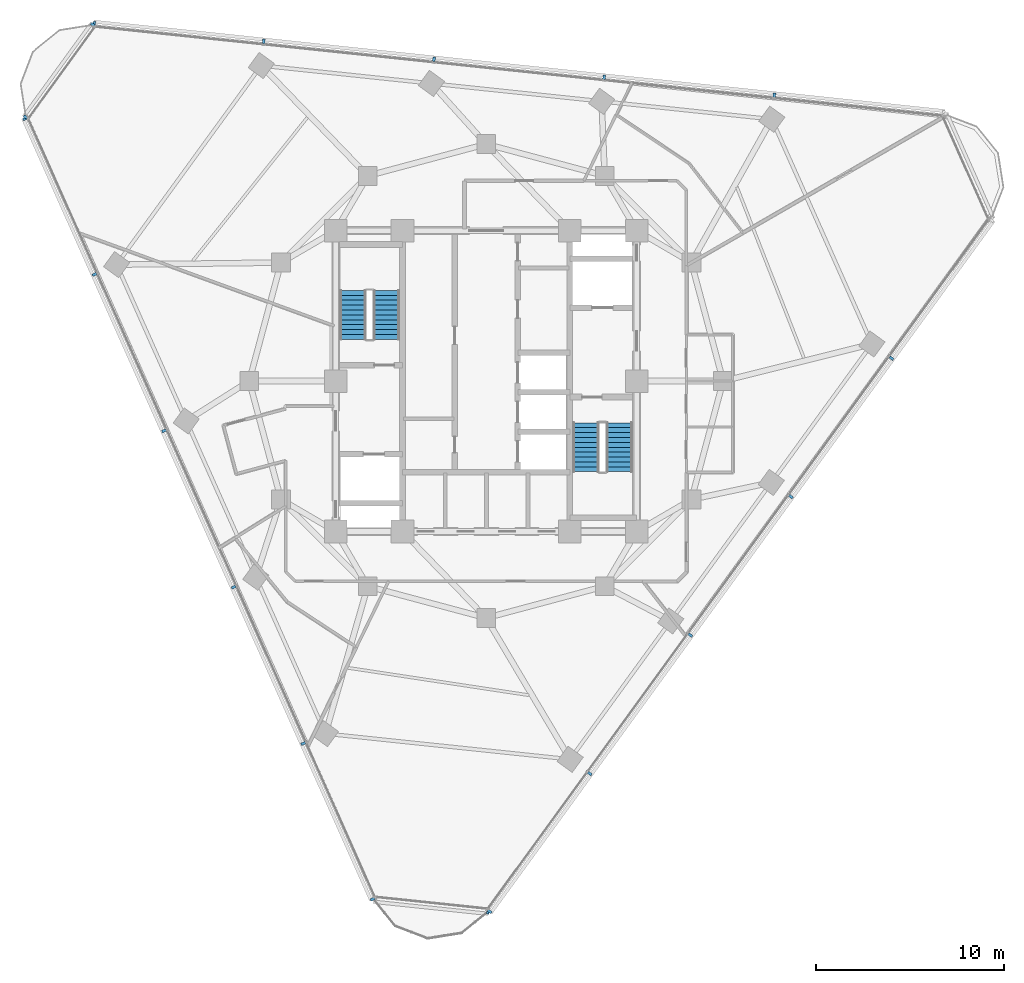
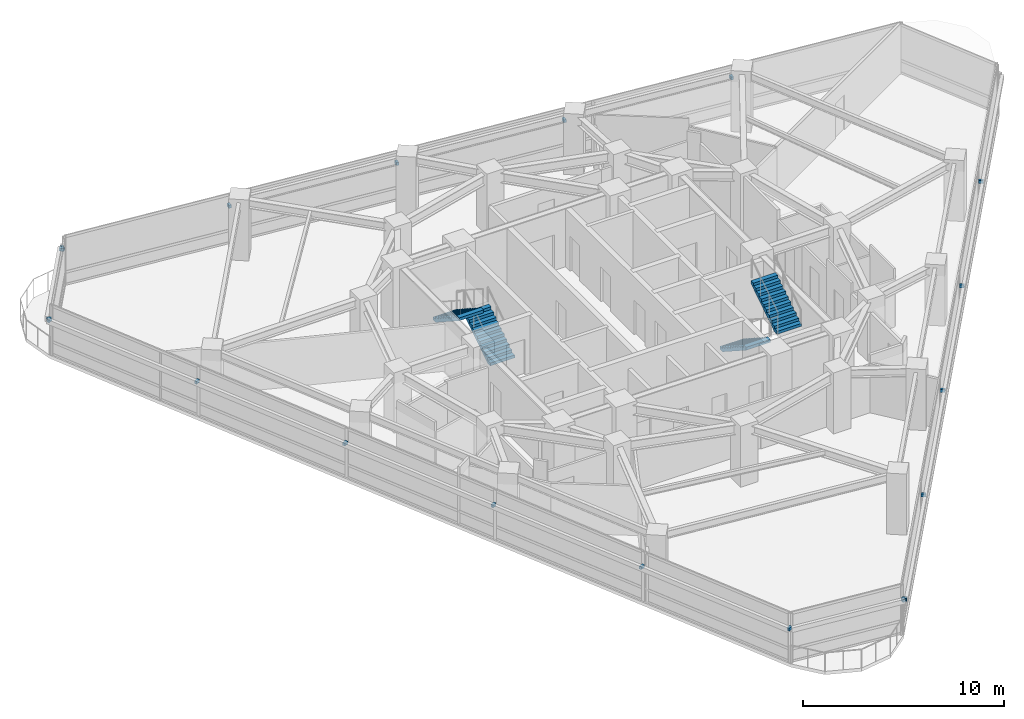
# One storey, part 10 of 14: 19 discrete accessories, 4 stair flights, 2 elements without a shape of their own.
"""IFC4 building model written with IfcOpenShell, lengths in metres."""

import ifcopenshell
import ifcopenshell.guid

model = None  # the IFC model being written
_history = None  # IfcOwnerHistory: only IFC2X3 demands one
_inside = {}  # id of a spatial element -> (the spatial element, [elements in it])
_under = {}  # id of a project, library or spatial element -> (it, [spatial elements below it])
_declared = {}  # id of a project -> (the project, [libraries it declares])
_typed = {}  # id of a type object -> (the type object, [elements of that type])
_made_of = {}  # id of a material, layer set ... -> (it, [elements and type objects made of it])


def new_model(schema):
    """Start an empty IFC model of exactly this schema.

    Asked for "IFC4X3", IfcOpenShell would pick the latest addendum, in which some entities
    have other attributes; the version numbers below select the first issue.
    IFC2X3 requires an IfcOwnerHistory on every rooted entity: one is made here for all.
    """
    global model, _history
    if schema == "IFC4X3":
        model = ifcopenshell.file(schema_version=(4, 3, 0, 0))
    else:
        model = ifcopenshell.file(schema=schema)
    _inside.clear()
    _under.clear()
    _declared.clear()
    _typed.clear()
    _made_of.clear()
    _history = None
    if model.schema == "IFC2X3":
        org = make("IfcOrganization", Name="unknown")
        user = make(
            "IfcPersonAndOrganization",
            ThePerson=make("IfcPerson", FamilyName="unknown"),
            TheOrganization=org,
        )
        app = make(
            "IfcApplication",
            ApplicationDeveloper=org,
            Version="unknown",
            ApplicationFullName="unknown",
            ApplicationIdentifier="unknown",
        )
        _history = make(
            "IfcOwnerHistory",
            OwningUser=user,
            OwningApplication=app,
            ChangeAction="ADDED",
            CreationDate=0,
        )
    return model


def make(cls, **values):
    """One entity of the class cls with the attributes given. An attribute that is None is left unset."""
    return model.create_entity(
        cls, **{name: value for name, value in values.items() if value is not None}
    )


def rooted(cls, **values):
    """An entity with a GlobalId (a new one), such as an element, a storey or a relation."""
    return make(cls, GlobalId=ifcopenshell.guid.new(), OwnerHistory=_history, **values)


def si_unit(unit_type, name, prefix=None):
    """IfcSIUnit, for example si_unit("LENGTHUNIT", "METRE", prefix="MILLI")."""
    return make("IfcSIUnit", UnitType=unit_type, Prefix=prefix, Name=name)


def assignment(units):
    """IfcUnitAssignment: the units of a project."""
    return None if units is None else make("IfcUnitAssignment", Units=units)


def point(xyz):
    """IfcCartesianPoint."""
    return None if xyz is None else make("IfcCartesianPoint", Coordinates=xyz)


def direction(xyz):
    """IfcDirection."""
    return None if xyz is None else make("IfcDirection", DirectionRatios=xyz)


def frame(location, z_axis=None, x_axis=None):
    """IfcAxis2Placement3D, a coordinate frame: its origin and axes. An axis left out is left unset."""
    return make(
        "IfcAxis2Placement3D",
        Location=point(location),
        Axis=direction(z_axis),
        RefDirection=direction(x_axis),
    )


def frame_2d(location, x_axis=None):
    """IfcAxis2Placement2D, a coordinate frame in the plane: its origin and x axis."""
    return make(
        "IfcAxis2Placement2D", Location=point(location), RefDirection=direction(x_axis)
    )


def origin():
    """The frame at (0, 0, 0) with its axes left unset."""
    return frame((0.0, 0.0, 0.0))


def origin_2d():
    """The frame at (0, 0) in the plane with its x axis left unset."""
    return frame_2d((0.0, 0.0))


def place(relative_to, where):
    """IfcLocalPlacement: puts the frame where relative to a parent placement (None: the world)."""
    return make(
        "IfcLocalPlacement", PlacementRelTo=relative_to, RelativePlacement=where
    )


def context(
    kind, dimensions, precision=None, world=None, true_north=None, identifier=None
):
    """IfcGeometricRepresentationContext, for example the 3D "Model" context."""
    return make(
        "IfcGeometricRepresentationContext",
        ContextIdentifier=identifier,
        ContextType=kind,
        CoordinateSpaceDimension=dimensions,
        Precision=precision,
        WorldCoordinateSystem=world,
        TrueNorth=true_north,
    )


def subcontext(parent, identifier, kind, view, scale=None):
    """IfcGeometricRepresentationSubContext, for example "Body" below "Model"."""
    return make(
        "IfcGeometricRepresentationSubContext",
        ContextIdentifier=identifier,
        ContextType=kind,
        ParentContext=parent,
        TargetScale=scale,
        TargetView=view,
    )


def project(units=None, contexts=None):
    """IfcProject with its units and contexts."""
    return rooted(
        "IfcProject",
        Name="project",
        RepresentationContexts=contexts,
        UnitsInContext=assignment(units),
    )


def spatial(cls, under=None, at=None, **own):
    """A site, building, storey or space (cls), placed at a placement, below another one or the project."""
    s = rooted(cls, ObjectPlacement=at, **own)
    if under is not None:
        _under.setdefault(under.id(), (under, []))[1].append(s)
    return s


def polyline(points):
    """IfcPolyline through the points."""
    return make("IfcPolyline", Points=[point(p) for p in points])


def profile(cls, at=None, kind="AREA", **sizes):
    """A parametric profile (cls). Its sizes go by their IFC names, for example OverallWidth=200.0."""
    return make(cls, ProfileType=kind, Position=at, **sizes)


def rectangle(**sizes):
    """IfcRectangleProfileDef."""
    return profile("IfcRectangleProfileDef", **sizes)


def outline(outer, holes=None, kind="AREA"):
    """IfcArbitraryClosedProfileDef: a profile drawn as a closed curve; with holes, ...WithVoids."""
    if holes is None:
        return make("IfcArbitraryClosedProfileDef", ProfileType=kind, OuterCurve=outer)
    return make(
        "IfcArbitraryProfileDefWithVoids",
        ProfileType=kind,
        OuterCurve=outer,
        InnerCurves=holes,
    )


def extrude(swept, where, along, depth):
    """IfcExtrudedAreaSolid: the profile swept, set in the frame where, extruded along a direction by depth."""
    return make(
        "IfcExtrudedAreaSolid",
        SweptArea=swept,
        Position=where,
        ExtrudedDirection=direction(along),
        Depth=depth,
    )


def shape(context_of_items, identifier, shape_type, items):
    """IfcShapeRepresentation: the items that make up one representation, for example the "Body"."""
    return make(
        "IfcShapeRepresentation",
        ContextOfItems=context_of_items,
        RepresentationIdentifier=identifier,
        RepresentationType=shape_type,
        Items=items,
    )


def material(Name=None, Category=None):
    """IfcMaterial."""
    return make("IfcMaterial", Name=Name, Category=Category)


def made_of(thing, what):
    """Note that an element or type object is made of a material, layer set ...; save() writes the relation."""
    if what is not None:
        _made_of.setdefault(what.id(), (what, []))[1].append(thing)
    return thing


def type_object(cls, material=None, **own):
    """A type object (cls), such as IfcWallType, which elements share."""
    return made_of(rooted(cls, **own), material)


def element(
    cls,
    number,
    at=None,
    inside=None,
    cuts=None,
    type_object=None,
    material=None,
    context=None,
    identifier="Body",
    shape_type=None,
    held_by="IfcProductDefinitionShape",
    body=None,
    shapes=None,
    **own,
):
    """One element of the class cls, such as IfcWall. Its Tag is "e" and its number.

    at: its placement. inside: the storey or other place that contains it. cuts: it is an
    opening in that element (IfcRelVoidsElement). A single representation is given by context,
    identifier, shape_type and body (its items); several are given by shapes. held_by: the class
    of the entity that holds the representations. save() writes the other relations.
    """
    e = rooted(cls, Tag="e%d" % number, ObjectPlacement=at, **own)
    if body is not None:
        shapes = [shape(context, identifier, shape_type, body)]
    if shapes is not None:
        e.Representation = make(held_by, Representations=shapes)
    if inside is not None:
        _inside.setdefault(inside.id(), (inside, []))[1].append(e)
    if cuts is not None:
        rooted(
            "IfcRelVoidsElement", RelatingBuildingElement=cuts, RelatedOpeningElement=e
        )
    if type_object is not None:
        _typed.setdefault(type_object.id(), (type_object, []))[1].append(e)
    return made_of(e, material)


def aggregate(whole, parts):
    """IfcRelAggregates: a whole, such as a stair, and the parts it consists of."""
    return rooted("IfcRelAggregates", RelatingObject=whole, RelatedObjects=parts)


def save(model, path):
    """Write the relations noted so far, then the file.

    IfcRelAggregates (storeys below a building ...), IfcRelContainedInSpatialStructure (elements
    in a storey), IfcRelDefinesByType, IfcRelAssociatesMaterial and IfcRelDeclares: one each for
    every whole, place, type object, material and project.
    """
    for whole, parts in _under.values():
        aggregate(whole, parts)
    for where, things in _inside.values():
        rooted(
            "IfcRelContainedInSpatialStructure",
            RelatedElements=things,
            RelatingStructure=where,
        )
    for kind, things in _typed.values():
        rooted("IfcRelDefinesByType", RelatedObjects=things, RelatingType=kind)
    for what, things in _made_of.values():
        rooted("IfcRelAssociatesMaterial", RelatedObjects=things, RelatingMaterial=what)
    for by, libraries in _declared.values():
        rooted("IfcRelDeclares", RelatingContext=by, RelatedDefinitions=libraries)
    model.write(path)


model = new_model("IFC4")

# Units and contexts
model_context = context("Model", 3, precision=1e-05, world=origin(), true_north=direction((0.0, 1.0)))
body_context = subcontext(model_context, "Body", "Model", "MODEL_VIEW")
ifc_project = project(units=[si_unit("LENGTHUNIT", "METRE"), si_unit("AREAUNIT", "SQUARE_METRE"), si_unit("VOLUMEUNIT", "CUBIC_METRE"), si_unit("PLANEANGLEUNIT", "RADIAN"), si_unit("MASSUNIT", "GRAM", prefix="KILO")], contexts=[model_context])

# Site, building, storey
site_placement = place(None, origin())
site = spatial("IfcSite", under=ifc_project, at=site_placement, CompositionType="ELEMENT")
building_placement = place(site_placement, origin())
building = spatial("IfcBuilding", under=site, at=building_placement, Name="Terralouvre Media Tower", CompositionType="ELEMENT")
storey_placement = place(building_placement, frame((0.0, 0.0, 241.10009765625)))
storey = spatial("IfcBuildingStorey", under=building, at=storey_placement, Name="L62", CompositionType="ELEMENT", Elevation=241.10009765625)

# Stair, stair flights
ifc_material_1 = material(Name="Concrete C45/55", Category="concrete")
stair_type_1 = type_object("IfcStairType", Name="Dogleg Stair Assembly ST-01", PredefinedType="HALF_TURN_STAIR", material=ifc_material_1)
stair_1_placement = place(storey_placement, origin())
stair_1 = element("IfcStair", 1, at=stair_1_placement, inside=storey, type_object=stair_type_1, Name="L62 Core Pressurised Exit Stair ST-01", PredefinedType="HALF_TURN_STAIR")
ifc_material_2 = material(Name="Concrete C45/55", Category="concrete")
stair_flight_type = type_object("IfcStairFlightType", Name="Reinforced Concrete Stair Flight SF-RC1", PredefinedType="STRAIGHT", material=ifc_material_2)
stair_flight_1_placement = place(storey_placement, frame((-5.300048828125, 2.219970703125, 0.0), z_axis=(0.0, 0.0, 1.0), x_axis=(0.0, 1.0, 0.0)))
stair_flight_1 = element("IfcStairFlight", 2, at=stair_flight_1_placement, type_object=stair_flight_type, Name="ST-01 flight 1", NumberOfRisers=11, NumberOfTreads=10, PredefinedType="STRAIGHT", RiserHeight=0.168181818, TreadLength=0.26, context=body_context, shape_type="SweptSolid", body=[
    extrude(outline(polyline([(0.0, 0.0), (0.0, 0.168212890625), (0.260009765625, 0.168212890625), (0.260009765625, 0.33642578125), (0.52001953125, 0.33642578125), (0.52001953125, 0.504638671875), (0.780029296875, 0.504638671875), (0.780029296875, 0.672607421875), (1.0400390625, 0.672607421875), (1.0400390625, 0.8408203125), (1.300048828125, 0.8408203125), (1.300048828125, 1.009033203125), (1.56005859375, 1.009033203125), (1.56005859375, 1.17724609375), (1.820068359375, 1.17724609375), (1.820068359375, 1.345458984375), (2.080078125, 1.345458984375), (2.080078125, 1.513671875), (2.340087890625, 1.513671875), (2.340087890625, 1.681884765625), (2.60009765625, 1.681884765625), (2.60009765625, 1.85009765625), (2.60009765625, 1.503173828125), (0.27587890625, 0.0), (0.0, 0.0)])), frame((0.0, 0.699951171875, 0.0), z_axis=(0.0, -1.0, 0.0), x_axis=(1.0, 0.0, 0.0)), (0.0, 0.0, 1.0), 1.39990234375),
])
stair_flight_2_placement = place(storey_placement, frame((-7.080078125, 4.820068359375, 1.849853515625), z_axis=(0.0, 0.0, 1.0), x_axis=(0.0, -1.0, 0.0)))
stair_flight_2 = element("IfcStairFlight", 3, at=stair_flight_2_placement, type_object=stair_flight_type, Name="ST-01 flight 2", NumberOfRisers=11, NumberOfTreads=10, PredefinedType="STRAIGHT", RiserHeight=0.168181818, TreadLength=0.26, context=body_context, shape_type="SweptSolid", body=[
    extrude(outline(polyline([(0.0, 0.0), (0.0, 0.168212890625), (0.260009765625, 0.168212890625), (0.260009765625, 0.33642578125), (0.52001953125, 0.33642578125), (0.52001953125, 0.504638671875), (0.780029296875, 0.504638671875), (0.780029296875, 0.672607421875), (1.0400390625, 0.672607421875), (1.0400390625, 0.8408203125), (1.300048828125, 0.8408203125), (1.300048828125, 1.009033203125), (1.56005859375, 1.009033203125), (1.56005859375, 1.17724609375), (1.820068359375, 1.17724609375), (1.820068359375, 1.345458984375), (2.080078125, 1.345458984375), (2.080078125, 1.513671875), (2.340087890625, 1.513671875), (2.340087890625, 1.681884765625), (2.60009765625, 1.681884765625), (2.60009765625, 1.85009765625), (2.60009765625, 1.503173828125), (0.27587890625, 0.0), (0.0, 0.0)])), frame((0.0, 0.699951171875, 0.0), z_axis=(0.0, -1.0, 0.0), x_axis=(1.0, 0.0, 0.0)), (0.0, 0.0, 1.0), 1.39990234375),
])
aggregate(stair_1, [stair_flight_1, stair_flight_2])

ifc_material_3 = material(Name="Concrete C45/55", Category="concrete")
stair_type_2 = type_object("IfcStairType", Name="Dogleg Stair Assembly ST-02", PredefinedType="HALF_TURN_STAIR", material=ifc_material_3)
stair_2_placement = place(storey_placement, origin())
stair_2 = element("IfcStair", 4, at=stair_2_placement, inside=storey, type_object=stair_type_2, Name="L62 Core Pressurised Exit Stair ST-02", PredefinedType="HALF_TURN_STAIR")
stair_flight_3_placement = place(storey_placement, frame((5.300048828125, -2.219970703125, 0.0), z_axis=(0.0, 0.0, 1.0), x_axis=(0.0, -1.0, 0.0)))
stair_flight_3 = element("IfcStairFlight", 5, at=stair_flight_3_placement, type_object=stair_flight_type, Name="ST-02 flight 1", NumberOfRisers=11, NumberOfTreads=10, PredefinedType="STRAIGHT", RiserHeight=0.168181818, TreadLength=0.26, context=body_context, shape_type="SweptSolid", body=[
    extrude(outline(polyline([(0.0, 0.0), (0.0, 0.168212890625), (0.260009765625, 0.168212890625), (0.260009765625, 0.33642578125), (0.52001953125, 0.33642578125), (0.52001953125, 0.504638671875), (0.780029296875, 0.504638671875), (0.780029296875, 0.672607421875), (1.0400390625, 0.672607421875), (1.0400390625, 0.8408203125), (1.300048828125, 0.8408203125), (1.300048828125, 1.009033203125), (1.56005859375, 1.009033203125), (1.56005859375, 1.17724609375), (1.820068359375, 1.17724609375), (1.820068359375, 1.345458984375), (2.080078125, 1.345458984375), (2.080078125, 1.513671875), (2.340087890625, 1.513671875), (2.340087890625, 1.681884765625), (2.60009765625, 1.681884765625), (2.60009765625, 1.85009765625), (2.60009765625, 1.503173828125), (0.27587890625, 0.0), (0.0, 0.0)])), frame((0.0, 0.699951171875, 0.0), z_axis=(0.0, -1.0, 0.0), x_axis=(1.0, 0.0, 0.0)), (0.0, 0.0, 1.0), 1.39990234375),
])
stair_flight_4_placement = place(storey_placement, frame((7.080078125, -4.820068359375, 1.849853515625), z_axis=(0.0, 0.0, 1.0), x_axis=(0.0, 1.0, 0.0)))
stair_flight_4 = element("IfcStairFlight", 6, at=stair_flight_4_placement, type_object=stair_flight_type, Name="ST-02 flight 2", NumberOfRisers=11, NumberOfTreads=10, PredefinedType="STRAIGHT", RiserHeight=0.168181818, TreadLength=0.26, context=body_context, shape_type="SweptSolid", body=[
    extrude(outline(polyline([(0.0, 0.0), (0.0, 0.168212890625), (0.260009765625, 0.168212890625), (0.260009765625, 0.33642578125), (0.52001953125, 0.33642578125), (0.52001953125, 0.504638671875), (0.780029296875, 0.504638671875), (0.780029296875, 0.672607421875), (1.0400390625, 0.672607421875), (1.0400390625, 0.8408203125), (1.300048828125, 0.8408203125), (1.300048828125, 1.009033203125), (1.56005859375, 1.009033203125), (1.56005859375, 1.17724609375), (1.820068359375, 1.17724609375), (1.820068359375, 1.345458984375), (2.080078125, 1.345458984375), (2.080078125, 1.513671875), (2.340087890625, 1.513671875), (2.340087890625, 1.681884765625), (2.60009765625, 1.681884765625), (2.60009765625, 1.85009765625), (2.60009765625, 1.503173828125), (0.27587890625, 0.0), (0.0, 0.0)])), frame((0.0, 0.699951171875, 0.0), z_axis=(0.0, -1.0, 0.0), x_axis=(1.0, 0.0, 0.0)), (0.0, 0.0, 1.0), 1.39990234375),
])
aggregate(stair_2, [stair_flight_3, stair_flight_4])

# Discrete accessories
ifc_material_4 = material(Name="Anodised extruded aluminium 6063-T6", Category="aluminium")
discrete_accessory_type = type_object("IfcDiscreteAccessoryType", Name="Mullion Stand-Off Baguette Fixing Bracket BK-01", PredefinedType="BRACKET", material=ifc_material_4)
for number, where, z_axis, x_axis, name in (
    (7, (0.180419921875, -28.205322265625, 2.07373046875), (0.0, 0.0, 1.0), (0.587785300879, 0.809016959074, 0.0), "CW-L62-F0 Baguette Outrigger Bracket 1.01"),
    (8, (5.50732421875, -20.87353515625, 2.07373046875), (0.0, 0.0, 1.0), (0.587785300879, 0.809016959074, 0.0), "CW-L62-F0 Baguette Outrigger Bracket 1.02"),
    (9, (10.856201171875, -13.511474609375, 2.07373046875), (0.0, 0.0, 1.0), (0.587785300879, 0.809016959074, 0.0), "CW-L62-F0 Baguette Outrigger Bracket 1.03"),
    (10, (16.205078125, -6.1494140625, 2.07373046875), (0.0, 0.0, 1.0), (0.587785300879, 0.809016959074, 0.0), "CW-L62-F0 Baguette Outrigger Bracket 1.04"),
    (11, (21.553955078125, 1.212646484375, 2.07373046875), (0.0, 0.0, 1.0), (0.587785300879, 0.809016959074, 0.0), "CW-L62-F0 Baguette Outrigger Bracket 1.05"),
    (12, (15.323486328125, 15.206298828125, 2.07373046875), (0.0, 0.0, 1.0), (-0.994521885028, 0.104528561651, 0.0), "CW-L62-F1 Baguette Outrigger Bracket 1.02"),
    (13, (6.273193359375, 16.157470703125, 2.07373046875), (0.0, 0.0, 1.0), (-0.994521885028, 0.104528561651, 0.0), "CW-L62-F1 Baguette Outrigger Bracket 1.03"),
    (14, (-2.77685546875, 17.108642578125, 2.07373046875), (0.0, 0.0, 1.0), (-0.994521885028, 0.104528561651, 0.0), "CW-L62-F1 Baguette Outrigger Bracket 1.04"),
    (15, (-11.826904296875, 18.059814453125, 2.07373046875), (0.0, 0.0, 1.0), (-0.994521885028, 0.104528561651, 0.0), "CW-L62-F1 Baguette Outrigger Bracket 1.05"),
    (16, (-20.83984375, 19.007080078125, 2.07373046875), (0.0, 0.0, 1.0), (-0.994521885028, 0.104528561651, 0.0), "CW-L62-F1 Baguette Outrigger Bracket 1.06"),
    (17, (-24.516845703125, 13.9462890625, 2.07373046875), (0.0, 0.0, 1.0), (0.406736679636, -0.913545441365, 0.0), "CW-L62-F2 Baguette Outrigger Bracket 1.01"),
    (18, (-20.830810546875, 5.667236328125, 2.07373046875), (0.0, 0.0, 1.0), (0.406736679636, -0.913545441365, 0.0), "CW-L62-F2 Baguette Outrigger Bracket 1.02"),
    (19, (-17.12939453125, -2.64599609375, 2.07373046875), (0.0, 0.0, 1.0), (0.406736679636, -0.913545441365, 0.0), "CW-L62-F2 Baguette Outrigger Bracket 1.03"),
    (20, (-13.42822265625, -10.959228515625, 2.07373046875), (0.0, 0.0, 1.0), (0.406736679636, -0.913545441365, 0.0), "CW-L62-F2 Baguette Outrigger Bracket 1.04"),
    (21, (-9.726806640625, -19.2724609375, 2.07373046875), (0.0, 0.0, 1.0), (0.406736679636, -0.913545441365, 0.0), "CW-L62-F2 Baguette Outrigger Bracket 1.05"),
    (22, (-6.040771484375, -27.551513671875, 2.07373046875), (0.0, 0.0, 1.0), (0.406736679636, -0.913545441365, 0.0), "CW-L62-F2 Baguette Outrigger Bracket 1.06"),
    (23, (0.086669921875, -28.22802734375, 2.07373046875), (0.0, 0.0, 1.0), (0.994521944551, -0.104527995322, 0.0), "CW-L62-C0 Baguette Outrigger Bracket 1.02"),
    (24, (-20.919677734375, 18.952880859375, 2.07373046875), (0.0, 0.0, 1.0), (-0.58778588998, -0.809016531067, 0.0), "CW-L62-C2 Baguette Outrigger Bracket 1.01"),
    (25, (-24.48974609375, 14.0390625, 2.07373046875), (0.0, 0.0, 1.0), (-0.58778588998, -0.809016531067, 0.0), "CW-L62-C2 Baguette Outrigger Bracket 1.02"),
):
    element("IfcDiscreteAccessory", number, at=place(storey_placement, frame(where, z_axis=z_axis, x_axis=x_axis)), inside=storey, type_object=discrete_accessory_type, Name=name, PredefinedType="BRACKET", context=body_context, shape_type="SweptSolid", body=[
        extrude(rectangle(XDim=0.139892578125, YDim=0.239990234375, at=origin_2d()), origin(), (0.0, 0.0, 1.0), 0.179931640625),
    ])

save(model, "model.ifc")
